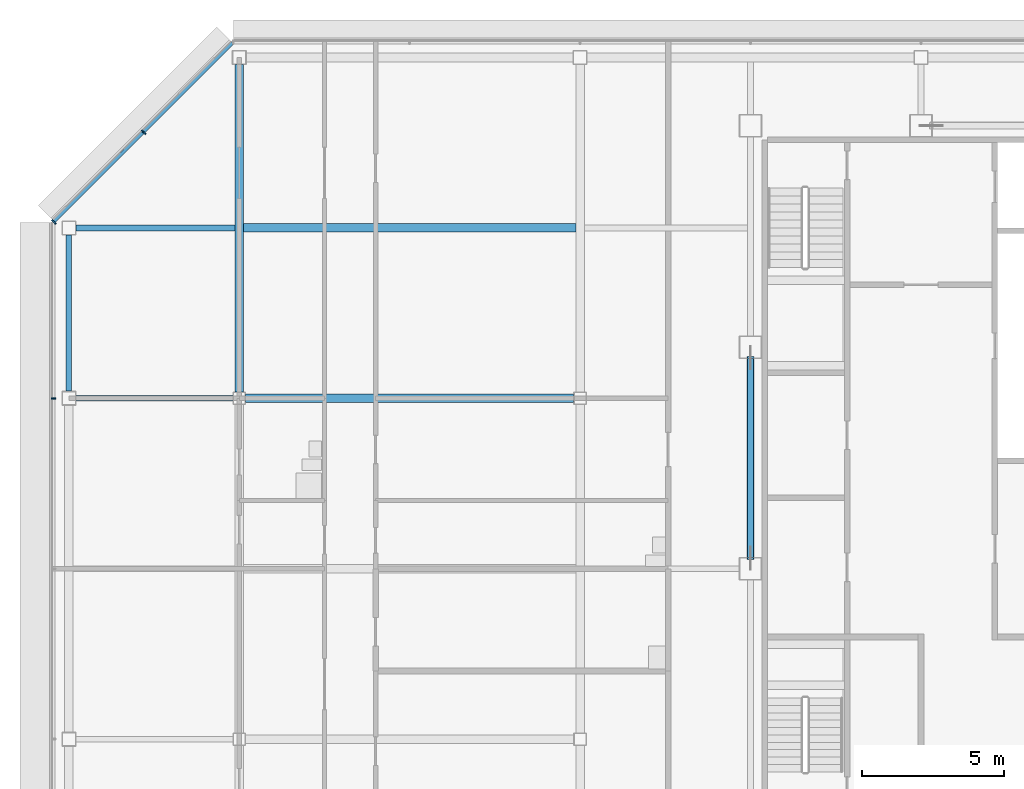
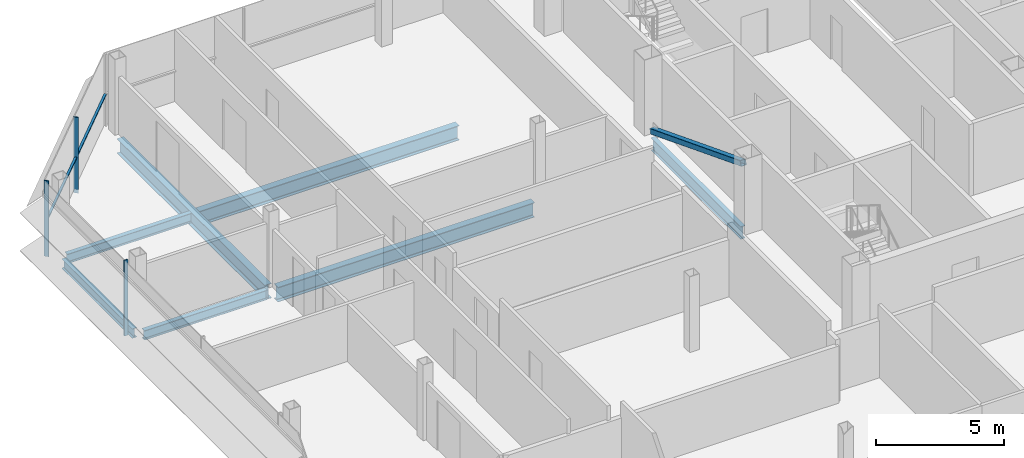
# One storey, part 13 of 27: 7 beams, 5 members, 2 elements without a shape of their own.
"""IFC4 building model written with IfcOpenShell, lengths in metres."""

from ifc_helpers import new_model, si_unit, direction, frame, origin, origin_2d, place, context, subcontext, project, spatial, rectangle, hollow_rectangle, i_section, extrude, material, material_profile, profile_set, type_object, element, aggregate, save


model = new_model("IFC4")

# Units and contexts
model_context = context("Model", 3, precision=1e-05, world=origin(), true_north=direction((0.0, 1.0)))
body_context = subcontext(model_context, "Body", "Model", "MODEL_VIEW")
ifc_project = project(units=[si_unit("LENGTHUNIT", "METRE"), si_unit("AREAUNIT", "SQUARE_METRE"), si_unit("VOLUMEUNIT", "CUBIC_METRE"), si_unit("PLANEANGLEUNIT", "RADIAN"), si_unit("MASSUNIT", "GRAM", prefix="KILO")], contexts=[model_context])

# Site, building, storey
site_placement = place(None, origin())
site = spatial("IfcSite", under=ifc_project, at=site_placement, CompositionType="ELEMENT")
building_placement = place(site_placement, origin())
building = spatial("IfcBuilding", under=site, at=building_placement, Name="Sorahane Residences", CompositionType="ELEMENT")
storey_placement = place(building_placement, frame((0.0, 0.0, 323.199951171875)))
storey = spatial("IfcBuildingStorey", under=building, at=storey_placement, Name="L77", CompositionType="ELEMENT", Elevation=323.199951171875)

# Member
ifc_material_1 = material(Name="Steel Q355B", Category="steel")
ifc_material_profile_1 = material_profile(ifc_material_1, hollow_rectangle(XDim=0.25, YDim=0.25, WallThickness=0.011962890625, InnerFilletRadius=0.006103515625, OuterFilletRadius=0.01806640625, at=origin_2d()), Name="RHS 250x250x12")
ifc_profile_set_1 = profile_set([ifc_material_profile_1], Name="Steel Q355B")
member_type_1 = type_object("IfcMemberType", Name="Core brace RHS 250x250x12 Q355B", PredefinedType="BRACE", material=ifc_profile_set_1)
member_1_placement = place(storey_placement, frame((6.0, 37.42724609375, 0.114501953125), z_axis=(0.0, -0.932102104456, 0.362195619617), x_axis=(1.0, 0.0, 0.0)))
element("IfcMember", 1, at=member_1_placement, inside=storey, type_object=member_type_1, Name="Core brace L77 x6-2", PredefinedType="BRACE", context=body_context, shape_type="SweptSolid", body=[
    extrude(hollow_rectangle(XDim=0.25, YDim=0.25, WallThickness=0.011962890625, InnerFilletRadius=0.006103515625, OuterFilletRadius=0.01806640625, at=origin_2d()), origin(), (0.0, 0.0, 1.0), 7.568359375),
])

# Curtain wall, member
ifc_material_2 = material(Name="Dark low-e glass and black anodised aluminium", Category="aluminium")
curtain_wall_type_1 = type_object("IfcCurtainWallType", Name="Curtain wall CW-1 Typical unitised wall", PredefinedType="NOTDEFINED", material=ifc_material_2)
curtain_wall_1_placement = place(storey_placement, origin())
curtain_wall_1 = element("IfcCurtainWall", 2, at=curtain_wall_1_placement, inside=storey, type_object=curtain_wall_type_1, Name="CW-1 curtain wall L77 W1", PredefinedType="NOTDEFINED")
ifc_material_3 = material(Name="Black anodised aluminium", Category="aluminium")
ifc_material_profile_2 = material_profile(ifc_material_3, rectangle(XDim=0.159912109375, YDim=0.050048828125, at=origin_2d()), Name="Curtain wall mullion CW-1 black anodised aluminium 50x160")
ifc_profile_set_2 = profile_set([ifc_material_profile_2], Name="Black anodised aluminium")
member_type_2 = type_object("IfcMemberType", Name="Curtain wall mullion CW-1 black anodised aluminium 50x160", PredefinedType="MULLION", material=ifc_profile_set_2)
member_2_placement = place(storey_placement, frame((-18.5400390625, 36.0, -0.179931640625), z_axis=(0.0, 0.0, 1.0), x_axis=(-1.0, 0.0, 0.0)))
member_2 = element("IfcMember", 3, at=member_2_placement, type_object=member_type_2, Name="CW-1 mullion L77 W1.2", PredefinedType="MULLION", context=body_context, shape_type="SweptSolid", body=[
    extrude(rectangle(XDim=0.159912109375, YDim=0.050048828125, at=origin_2d()), origin(), (0.0, 0.0, 1.0), 3.60009765625),
])
aggregate(curtain_wall_1, [member_2])

# Curtain wall, members
ifc_material_4 = material(Name="Dark low-e glass and black anodised aluminium", Category="aluminium")
curtain_wall_type_2 = type_object("IfcCurtainWallType", Name="Curtain wall CW-2 Chamfer unitised wall", PredefinedType="NOTDEFINED", material=ifc_material_4)
curtain_wall_2_placement = place(storey_placement, origin())
curtain_wall_2 = element("IfcCurtainWall", 4, at=curtain_wall_2_placement, inside=storey, type_object=curtain_wall_type_2, Name="CW-2 curtain wall L77 NW1", PredefinedType="NOTDEFINED")
ifc_material_5 = material(Name="Black anodised aluminium", Category="aluminium")
ifc_material_profile_3 = material_profile(ifc_material_5, rectangle(XDim=0.199951171875, YDim=0.050048828125, at=origin_2d()), Name="Curtain wall mullion CW-2 black anodised aluminium 50x200")
ifc_profile_set_3 = profile_set([ifc_material_profile_3], Name="Black anodised aluminium")
member_type_3 = type_object("IfcMemberType", Name="Curtain wall mullion CW-2 black anodised aluminium 50x200", PredefinedType="MULLION", material=ifc_profile_set_3)
member_3_placement = place(storey_placement, frame((-15.36767578125, 45.36767578125, -0.179931640625), z_axis=(0.0, 0.0, 1.0), x_axis=(-0.707106781187, 0.707106781187, 0.0)))
member_3 = element("IfcMember", 5, at=member_3_placement, type_object=member_type_3, Name="CW-2 mullion L77 NW1.2", PredefinedType="MULLION", context=body_context, shape_type="SweptSolid", body=[
    extrude(rectangle(XDim=0.199951171875, YDim=0.050048828125, at=origin_2d()), origin(), (0.0, 0.0, 1.0), 3.60009765625),
])
member_4_placement = place(storey_placement, frame((-18.525634765625, 42.209716796875, -0.179931640625), z_axis=(0.0, 0.0, 1.0), x_axis=(-0.707106781187, 0.707106781187, 0.0)))
member_4 = element("IfcMember", 6, at=member_4_placement, type_object=member_type_3, Name="CW-2 mullion L77 NW1.3", PredefinedType="MULLION", context=body_context, shape_type="SweptSolid", body=[
    extrude(rectangle(XDim=0.199951171875, YDim=0.050048828125, at=origin_2d()), origin(), (0.0, 0.0, 1.0), 3.60009765625),
])
ifc_material_6 = material(Name="Black anodised aluminium", Category="aluminium")
ifc_material_profile_4 = material_profile(ifc_material_6, rectangle(XDim=0.10009765625, YDim=0.06005859375, at=origin_2d()), Name="Curtain wall transom CW-2 black anodised aluminium 60x100")
ifc_profile_set_4 = profile_set([ifc_material_profile_4], Name="Black anodised aluminium")
member_type_4 = type_object("IfcMemberType", Name="Curtain wall transom CW-2 black anodised aluminium 60x100", PredefinedType="USERDEFINED", material=ifc_profile_set_4)
member_5_placement = place(storey_placement, frame((-12.234375, 48.51513671875, 1.5), z_axis=(-0.707106781187, -0.707106781187, 0.0), x_axis=(0.707106781187, -0.707106781187, 0.0)))
member_5 = element("IfcMember", 7, at=member_5_placement, type_object=member_type_4, Name="CW-2 transom L77 NW1", ObjectType="TRANSOM", PredefinedType="USERDEFINED", context=body_context, shape_type="SweptSolid", body=[
    extrude(rectangle(XDim=0.10009765625, YDim=0.06005859375, at=origin_2d()), origin(), (0.0, 0.0, 1.0), 8.88232421875),
])
aggregate(curtain_wall_2, [member_3, member_4, member_5])

# Beams
ifc_material_7 = material(Name="Steel Q355B", Category="steel")
ifc_material_profile_5 = material_profile(ifc_material_7, i_section(OverallWidth=0.199951171875, OverallDepth=0.449951171875, WebThickness=0.009033203125, FlangeThickness=0.013916015625, FilletRadius=0.02001953125, at=origin_2d()), Name="HN 450x200x9x14")
ifc_profile_set_5 = profile_set([ifc_material_profile_5], Name="Steel Q355B")
beam_type_1 = type_object("IfcBeamType", Name="Steel floor beam HN 450x200x9x14 Q355B", PredefinedType="BEAM", material=ifc_profile_set_5)
beam_1_placement = place(storey_placement, frame((-17.75, 36.0, -0.405029296875), z_axis=(1.0, 0.0, 0.0), x_axis=(0.0, 1.0, 0.0)))
element("IfcBeam", 8, at=beam_1_placement, inside=storey, type_object=beam_type_1, Name="Beam L77 013", PredefinedType="BEAM", context=body_context, shape_type="SweptSolid", body=[
    extrude(i_section(OverallWidth=0.199951171875, OverallDepth=0.449951171875, WebThickness=0.009033203125, FlangeThickness=0.013916015625, FilletRadius=0.02001953125, at=origin_2d()), origin(), (0.0, 0.0, 1.0), 5.52490234375),
])
beam_2_placement = place(storey_placement, frame((-18.0, 36.25, -0.405029296875), z_axis=(0.0, 1.0, 0.0), x_axis=(-1.0, 0.0, 0.0)))
element("IfcBeam", 9, at=beam_2_placement, inside=storey, type_object=beam_type_1, Name="Beam L77 023", PredefinedType="BEAM", context=body_context, shape_type="SweptSolid", body=[
    extrude(i_section(OverallWidth=0.199951171875, OverallDepth=0.449951171875, WebThickness=0.009033203125, FlangeThickness=0.013916015625, FilletRadius=0.02001953125, at=origin_2d()), origin(), (0.0, 0.0, 1.0), 5.5),
])
beam_3_placement = place(storey_placement, frame((-17.75, 42.0, -0.405029296875), z_axis=(1.0, 0.0, 0.0), x_axis=(0.0, 1.0, 0.0)))
element("IfcBeam", 10, at=beam_3_placement, inside=storey, type_object=beam_type_1, Name="Beam L77 087", PredefinedType="BEAM", context=body_context, shape_type="SweptSolid", body=[
    extrude(i_section(OverallWidth=0.199951171875, OverallDepth=0.449951171875, WebThickness=0.009033203125, FlangeThickness=0.013916015625, FilletRadius=0.02001953125, at=origin_2d()), origin(), (0.0, 0.0, 1.0), 5.60009765625),
])
ifc_material_8 = material(Name="Steel Q355B", Category="steel")
ifc_material_profile_6 = material_profile(ifc_material_8, i_section(OverallWidth=0.199951171875, OverallDepth=0.60009765625, WebThickness=0.010986328125, FlangeThickness=0.01708984375, FilletRadius=0.02392578125, at=origin_2d()), Name="HN 600x200x11x17")
ifc_profile_set_6 = profile_set([ifc_material_profile_6], Name="Steel Q355B")
beam_type_2 = type_object("IfcBeamType", Name="Steel floor beam HN 600x200x11x17 Q355B", PredefinedType="BEAM", material=ifc_profile_set_6)
beam_4_placement = place(storey_placement, frame((6.0, 30.39990234375, -0.47998046875), z_axis=(0.0, 1.0, 0.0), x_axis=(-1.0, 0.0, 0.0)))
element("IfcBeam", 11, at=beam_4_placement, inside=storey, type_object=beam_type_2, Name="Beam L77 035", PredefinedType="BEAM", context=body_context, shape_type="SweptSolid", body=[
    extrude(i_section(OverallWidth=0.199951171875, OverallDepth=0.60009765625, WebThickness=0.010986328125, FlangeThickness=0.01708984375, FilletRadius=0.02392578125, at=origin_2d()), origin(), (0.0, 0.0, 1.0), 7.0),
])
ifc_material_9 = material(Name="Steel Q355B", Category="steel")
ifc_material_profile_7 = material_profile(ifc_material_9, i_section(OverallWidth=0.300048828125, OverallDepth=0.699951171875, WebThickness=0.012939453125, FlangeThickness=0.02392578125, FilletRadius=0.028076171875, at=origin_2d()), Name="HN 700x300x13x24")
ifc_profile_set_7 = profile_set([ifc_material_profile_7], Name="Steel Q355B")
beam_type_3 = type_object("IfcBeamType", Name="Steel floor beam HN 700x300x13x24 Q355B", PredefinedType="BEAM", material=ifc_profile_set_7)
beam_5_placement = place(storey_placement, frame((-11.77490234375, 36.0, -0.530029296875), z_axis=(1.0, 0.0, 0.0), x_axis=(0.0, 1.0, 0.0)))
element("IfcBeam", 12, at=beam_5_placement, inside=storey, type_object=beam_type_3, Name="Beam L77 014", PredefinedType="BEAM", context=body_context, shape_type="SweptSolid", body=[
    extrude(i_section(OverallWidth=0.300048828125, OverallDepth=0.699951171875, WebThickness=0.012939453125, FlangeThickness=0.02392578125, FilletRadius=0.028076171875, at=origin_2d()), origin(), (0.0, 0.0, 1.0), 11.5498046875),
])
beam_6_placement = place(storey_placement, frame((-12.0, 36.22509765625, -0.530029296875), z_axis=(0.0, 1.0, 0.0), x_axis=(-1.0, 0.0, 0.0)))
element("IfcBeam", 13, at=beam_6_placement, inside=storey, type_object=beam_type_3, Name="Beam L77 027", PredefinedType="BEAM", context=body_context, shape_type="SweptSolid", body=[
    extrude(i_section(OverallWidth=0.300048828125, OverallDepth=0.699951171875, WebThickness=0.012939453125, FlangeThickness=0.02392578125, FilletRadius=0.028076171875, at=origin_2d()), origin(), (0.0, 0.0, 1.0), 11.52490234375),
])
beam_7_placement = place(storey_placement, frame((-11.85009765625, 42.0, -0.530029296875), z_axis=(1.0, 0.0, 0.0), x_axis=(0.0, 1.0, 0.0)))
element("IfcBeam", 14, at=beam_7_placement, inside=storey, type_object=beam_type_3, Name="Beam L77 088", PredefinedType="BEAM", context=body_context, shape_type="SweptSolid", body=[
    extrude(i_section(OverallWidth=0.300048828125, OverallDepth=0.699951171875, WebThickness=0.012939453125, FlangeThickness=0.02392578125, FilletRadius=0.028076171875, at=origin_2d()), origin(), (0.0, 0.0, 1.0), 11.7001953125),
])

save(model, "model.ifc")
